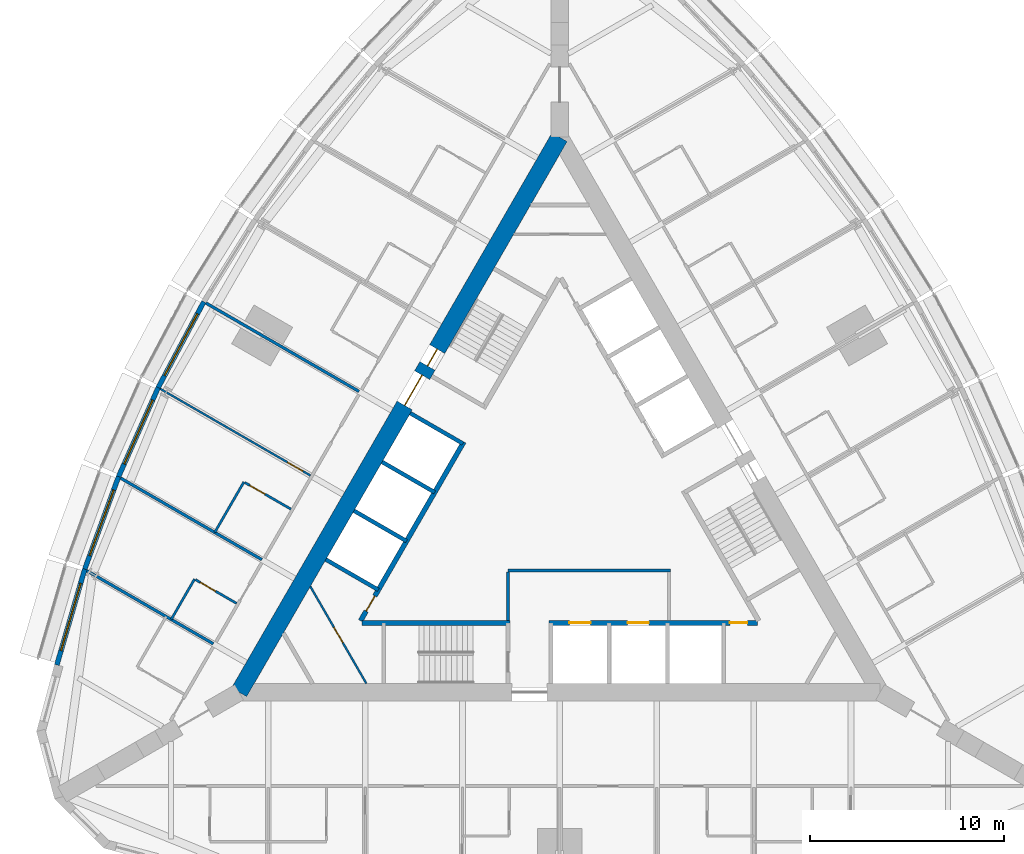
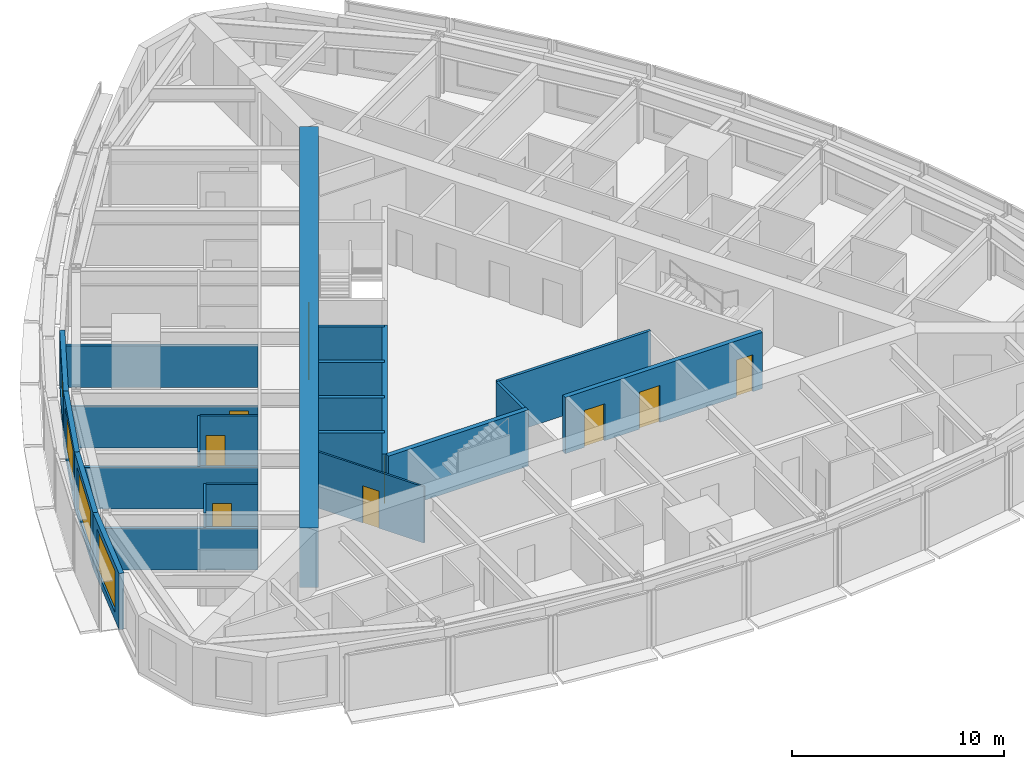
# One storey, part 9 of 14: 23 walls, 10 doors, 4 windows, 14 openings.
"""IFC4 building model written with IfcOpenShell, lengths in metres."""

from ifc_helpers import new_model, si_unit, direction, frame, frame_2d, origin, place, context, subcontext, project, spatial, rectangle, extrude, material, layer, layer_set, type_object, element, fill, save


model = new_model("IFC4")

# Units and contexts
model_context = context("Model", 3, precision=1e-05, world=origin(), true_north=direction((0.0, 1.0)))
body_context = subcontext(model_context, "Body", "Model", "MODEL_VIEW")
ifc_project = project(units=[si_unit("LENGTHUNIT", "METRE"), si_unit("AREAUNIT", "SQUARE_METRE"), si_unit("VOLUMEUNIT", "CUBIC_METRE"), si_unit("PLANEANGLEUNIT", "RADIAN"), si_unit("MASSUNIT", "GRAM", prefix="KILO")], contexts=[model_context])

# Site, building, storey
site_placement = place(None, origin())
site = spatial("IfcSite", under=ifc_project, at=site_placement, CompositionType="ELEMENT")
building_placement = place(site_placement, origin())
building = spatial("IfcBuilding", under=site, at=building_placement, Name="Trikona Tower", CompositionType="ELEMENT")
storey_placement = place(building_placement, frame((0.0, 0.0, 135.10009765625)))
storey = spatial("IfcBuildingStorey", under=building, at=storey_placement, Name="L35", CompositionType="ELEMENT", Elevation=135.10009765625)

# Wall
ifc_material_1 = material(Name="Metal stud and cement board", Category="gypsum")
ifc_layer_1 = layer(ifc_material_1, 0.1201171875)
ifc_layer_set_1 = layer_set([ifc_layer_1], Name="Bathroom wall 120")
wall_type_1 = type_object("IfcWallType", Name="Bathroom wall 120", PredefinedType="PLUMBINGWALL", material=ifc_layer_set_1)
wall_1_placement = place(storey_placement, frame((-16.25341796875, 1.301025390625, 0.0), z_axis=(0.0, 0.0, 1.0), x_axis=(-0.499990139034, -0.866031096941, 0.0)))
element("IfcWall", 1, at=wall_1_placement, inside=storey, type_object=wall_type_1, Name="Bathroom wall 3514.1", PredefinedType="PLUMBINGWALL", context=body_context, shape_type="SweptSolid", body=[
    extrude(rectangle(XDim=3.0, YDim=0.1201171875, at=frame_2d((1.5, 0.0))), origin(), (0.0, 0.0, 1.0), 3.23486328125),
])

# Wall, opening, door
wall_2_placement = place(storey_placement, frame((-13.82861328125, -0.09912109375, 0.0), z_axis=(0.0, 0.0, 1.0), x_axis=(-0.865997131366, 0.500048966069, 0.0)))
wall_2 = element("IfcWall", 2, at=wall_2_placement, inside=storey, type_object=wall_type_1, Name="Bathroom wall 3514.1", PredefinedType="PLUMBINGWALL", context=body_context, shape_type="SweptSolid", body=[
    extrude(rectangle(XDim=2.739990234375, YDim=0.1201171875, at=frame_2d((1.3701171875, 0.0))), origin(), (0.0, 0.0, 1.0), 3.23486328125),
])
opening_1_placement = place(wall_2_placement, frame((1.550048828125, 0.0, 0.0)))
opening_1 = element("IfcOpeningElement", 3, at=opening_1_placement, cuts=wall_2, Name="Opening D2", PredefinedType="OPENING", context=body_context, shape_type="SweptSolid", body=[
    extrude(rectangle(XDim=0.89990234375, YDim=2.1298828125, at=frame_2d((0.449951171875, 1.06494140625))), frame((0.0, 0.070068359375, 0.0), z_axis=(0.0, -1.0, 0.0), x_axis=(1.0, 0.0, 0.0)), (0.0, 0.0, 1.0), 0.14013671875),
])
ifc_material_2 = material(Name="Steel door frame with solid-core timber leaf", Category="steel")
door_type_1 = type_object("IfcDoorType", Name="Bathroom door 900x2130", OperationType="SLIDING_TO_LEFT", PredefinedType="DOOR", material=ifc_material_2)
door_1_placement = place(opening_1_placement, origin())
door_1 = element("IfcDoor", 4, at=door_1_placement, inside=storey, type_object=door_type_1, Name="Bathroom door 3514.1", OperationType="SLIDING_TO_LEFT", OverallHeight=2.1298828125, OverallWidth=0.89990234375, PredefinedType="DOOR", context=body_context, shape_type="SweptSolid", body=[
    extrude(rectangle(XDim=0.89990234375, YDim=2.1298828125, at=frame_2d((0.449951171875, 1.06494140625))), frame((0.0, 0.02490234375, 0.0), z_axis=(0.0, -1.0, 0.0), x_axis=(1.0, 0.0, 0.0)), (0.0, 0.0, 1.0), 0.050048828125),
])
fill(opening_1, door_1)

# Wall
wall_3_placement = place(storey_placement, frame((-18.79345703125, -3.69873046875, 0.0), z_axis=(0.0, 0.0, 1.0), x_axis=(-0.500001309137, -0.866024647952, 0.0)))
element("IfcWall", 5, at=wall_3_placement, inside=storey, type_object=wall_type_1, Name="Bathroom wall 3515", PredefinedType="PLUMBINGWALL", context=body_context, shape_type="SweptSolid", body=[
    extrude(rectangle(XDim=2.39990234375, YDim=0.1201171875, at=frame_2d((1.199951171875, 0.0))), origin(), (0.0, 0.0, 1.0), 3.23486328125),
])

# Wall, opening, door
wall_4_placement = place(storey_placement, frame((-16.62841796875, -4.94873046875, 0.0), z_axis=(0.0, 0.0, 1.0), x_axis=(-0.866048967903, 0.499959183527, 0.0)))
wall_4 = element("IfcWall", 6, at=wall_4_placement, inside=storey, type_object=wall_type_1, Name="Bathroom wall 3515", PredefinedType="PLUMBINGWALL", context=body_context, shape_type="SweptSolid", body=[
    extrude(rectangle(XDim=2.440185546875, YDim=0.1201171875, at=frame_2d((1.22021484375, 0.0))), origin(), (0.0, 0.0, 1.0), 3.23486328125),
])
opening_2_placement = place(wall_4_placement, frame((1.25, 0.0, 0.0)))
opening_2 = element("IfcOpeningElement", 7, at=opening_2_placement, cuts=wall_4, Name="Opening D2", PredefinedType="OPENING", context=body_context, shape_type="SweptSolid", body=[
    extrude(rectangle(XDim=0.89990234375, YDim=2.1298828125, at=frame_2d((0.449951171875, 1.06494140625))), frame((0.0, 0.070068359375, 0.0), z_axis=(0.0, -1.0, 0.0), x_axis=(1.0, 0.0, 0.0)), (0.0, 0.0, 1.0), 0.14013671875),
])
door_2_placement = place(opening_2_placement, origin())
door_2 = element("IfcDoor", 8, at=door_2_placement, inside=storey, type_object=door_type_1, Name="Bathroom door 3515", OperationType="SLIDING_TO_LEFT", OverallHeight=2.1298828125, OverallWidth=0.89990234375, PredefinedType="DOOR", context=body_context, shape_type="SweptSolid", body=[
    extrude(rectangle(XDim=0.89990234375, YDim=2.1298828125, at=frame_2d((0.449951171875, 1.06494140625))), frame((0.0, 0.02490234375, 0.0), z_axis=(0.0, -1.0, 0.0), x_axis=(1.0, 0.0, 0.0)), (0.0, 0.0, 1.0), 0.050048828125),
])
fill(opening_2, door_2)

# Wall, openings, doors
ifc_material_3 = material(Name="Concrete f'c 10000 psi", Category="concrete")
ifc_layer_2 = layer(ifc_material_3, 0.89990234375)
ifc_layer_set_2 = layer_set([ifc_layer_2], Name="Core wall 900")
wall_type_2 = type_object("IfcWallType", Name="Core wall 900", PredefinedType="SHEAR", material=ifc_layer_set_2)
wall_5_placement = place(storey_placement, frame((0.0, 19.052490234375, 0.0), z_axis=(0.0, 0.0, 1.0), x_axis=(-0.499999749417, -0.866025548458, 0.0)))
wall_5 = element("IfcWall", 9, at=wall_5_placement, inside=storey, type_object=wall_type_2, Name="Core wall C", PredefinedType="SHEAR", context=body_context, shape_type="SweptSolid", body=[
    extrude(rectangle(XDim=33.0, YDim=0.89990234375, at=frame_2d((16.5, 0.0))), origin(), (0.0, 0.0, 1.0), 3.39990234375),
])
opening_3_placement = place(wall_5_placement, frame((14.14990234375, 0.0, 0.0)))
opening_3 = element("IfcOpeningElement", 10, at=opening_3_placement, cuts=wall_5, Name="Opening D6", PredefinedType="OPENING", context=body_context, shape_type="SweptSolid", body=[
    extrude(rectangle(XDim=1.800048828125, YDim=2.1298828125, at=frame_2d((0.89990234375, 1.06494140625))), frame((0.0, 0.4599609375, 0.0), z_axis=(0.0, -1.0, 0.0), x_axis=(1.0, 0.0, 0.0)), (0.0, 0.0, 1.0), 0.919921875),
])
opening_4_placement = place(wall_5_placement, frame((12.60009765625, 0.0, 0.0)))
opening_4 = element("IfcOpeningElement", 11, at=opening_4_placement, cuts=wall_5, Name="Opening D5", PredefinedType="OPENING", context=body_context, shape_type="SweptSolid", body=[
    extrude(rectangle(XDim=1.0, YDim=2.1298828125, at=frame_2d((0.5, 1.06494140625))), frame((0.0, 0.4599609375, 0.0), z_axis=(0.0, -1.0, 0.0), x_axis=(1.0, 0.0, 0.0)), (0.0, 0.0, 1.0), 0.919921875),
])
ifc_material_4 = material(Name="Hollow metal door and frame", Category="steel")
door_type_2 = type_object("IfcDoorType", Name="Lobby door pair 1800x2130", OperationType="DOUBLE_DOOR_SINGLE_SWING", PredefinedType="DOOR", material=ifc_material_4)
door_3_placement = place(opening_3_placement, origin())
door_3 = element("IfcDoor", 12, at=door_3_placement, inside=storey, type_object=door_type_2, Name="Lift lobby door C", OperationType="DOUBLE_DOOR_SINGLE_SWING", OverallHeight=2.1298828125, OverallWidth=1.800048828125, PredefinedType="DOOR", context=body_context, shape_type="SweptSolid", body=[
    extrude(rectangle(XDim=1.800048828125, YDim=2.1298828125, at=frame_2d((0.89990234375, 1.06494140625))), frame((0.0, 0.02490234375, 0.0), z_axis=(0.0, -1.0, 0.0), x_axis=(1.0, 0.0, 0.0)), (0.0, 0.0, 1.0), 0.050048828125),
])
fill(opening_3, door_3)
ifc_material_5 = material(Name="Hollow metal door and frame", Category="steel")
door_type_3 = type_object("IfcDoorType", Name="Stair door 1000x2130", OperationType="SINGLE_SWING_LEFT", PredefinedType="DOOR", material=ifc_material_5)
door_4_placement = place(opening_4_placement, origin())
door_4 = element("IfcDoor", 13, at=door_4_placement, inside=storey, type_object=door_type_3, Name="Stair C door", OperationType="SINGLE_SWING_RIGHT", OverallHeight=2.1298828125, OverallWidth=1.0, PredefinedType="DOOR", context=body_context, shape_type="SweptSolid", body=[
    extrude(rectangle(XDim=1.0, YDim=2.1298828125, at=frame_2d((0.5, 1.06494140625))), frame((0.0, 0.02490234375, 0.0), z_axis=(0.0, -1.0, 0.0), x_axis=(1.0, 0.0, 0.0)), (0.0, 0.0, 1.0), 0.050048828125),
])
fill(opening_4, door_4)

# Wall
ifc_material_6 = material(Name="Concrete f'c 8000 psi", Category="concrete")
ifc_layer_3 = layer(ifc_material_6, 0.25)
ifc_layer_set_3 = layer_set([ifc_layer_3], Name="Hub wall 250")
wall_type_3 = type_object("IfcWallType", Name="Hub wall 250", PredefinedType="SOLIDWALL", material=ifc_layer_set_3)
wall_6_placement = place(storey_placement, frame((-10.182861328125, -5.951416015625, 0.0), z_axis=(0.0, 0.0, 1.0), x_axis=(1.0, 0.0, 0.0)))
element("IfcWall", 14, at=wall_6_placement, inside=storey, type_object=wall_type_3, Name="Lift lobby wall A1", PredefinedType="SOLIDWALL", context=body_context, shape_type="SweptSolid", body=[
    extrude(rectangle(XDim=7.6328125, YDim=0.25, at=frame_2d((3.81640625, 0.0))), origin(), (0.0, 0.0, 1.0), 3.23486328125),
])

# Wall, openings, doors
wall_7_placement = place(storey_placement, frame((-0.550048828125, -5.951416015625, 0.0), z_axis=(0.0, 0.0, 1.0), x_axis=(1.0, 0.0, 0.0)))
wall_7 = element("IfcWall", 15, at=wall_7_placement, inside=storey, type_object=wall_type_3, Name="Lift lobby wall A2", PredefinedType="SOLIDWALL", context=body_context, shape_type="SweptSolid", body=[
    extrude(rectangle(XDim=10.73291015625, YDim=0.25, at=frame_2d((5.366455078125, 0.0))), origin(), (0.0, 0.0, 1.0), 3.23486328125),
])
opening_5_placement = place(wall_7_placement, frame((9.31396484375, 0.0, 0.0)))
opening_5 = element("IfcOpeningElement", 16, at=opening_5_placement, cuts=wall_7, Name="Opening D14", PredefinedType="OPENING", context=body_context, shape_type="SweptSolid", body=[
    extrude(rectangle(XDim=0.89990234375, YDim=2.1298828125, at=frame_2d((0.449951171875, 1.06494140625))), frame((0.0, 0.135009765625, 0.0), z_axis=(0.0, -1.0, 0.0), x_axis=(1.0, 0.0, 0.0)), (0.0, 0.0, 1.0), 0.27001953125),
])
opening_6_placement = place(wall_7_placement, frame((1.050048828125, 0.0, 0.0)))
opening_6 = element("IfcOpeningElement", 17, at=opening_6_placement, cuts=wall_7, Name="Opening LD", PredefinedType="OPENING", context=body_context, shape_type="SweptSolid", body=[
    extrude(rectangle(XDim=1.10009765625, YDim=2.1298828125, at=frame_2d((0.550048828125, 1.06494140625))), frame((0.0, 0.135009765625, 0.0), z_axis=(0.0, -1.0, 0.0), x_axis=(1.0, 0.0, 0.0)), (0.0, 0.0, 1.0), 0.27001953125),
])
opening_7_placement = place(wall_7_placement, frame((4.050048828125, 0.0, 0.0)))
opening_7 = element("IfcOpeningElement", 18, at=opening_7_placement, cuts=wall_7, Name="Opening LD", PredefinedType="OPENING", context=body_context, shape_type="SweptSolid", body=[
    extrude(rectangle(XDim=1.10009765625, YDim=2.1298828125, at=frame_2d((0.550048828125, 1.06494140625))), frame((0.0, 0.135009765625, 0.0), z_axis=(0.0, -1.0, 0.0), x_axis=(1.0, 0.0, 0.0)), (0.0, 0.0, 1.0), 0.27001953125),
])
ifc_material_7 = material(Name="Stainless steel lift landing door", Category="steel")
door_type_4 = type_object("IfcDoorType", Name="Lift landing door 1100x2130", OperationType="DOUBLE_DOOR_SLIDING", PredefinedType="USERDEFINED", material=ifc_material_7)
door_5_placement = place(opening_6_placement, origin())
door_5 = element("IfcDoor", 19, at=door_5_placement, inside=storey, type_object=door_type_4, Name="Lift landing door FF1", ObjectType="LIFT LANDING DOOR", OperationType="DOUBLE_DOOR_SLIDING", OverallHeight=2.1298828125, OverallWidth=1.10009765625, PredefinedType="USERDEFINED", context=body_context, shape_type="SweptSolid", body=[
    extrude(rectangle(XDim=1.10009765625, YDim=2.1298828125, at=frame_2d((0.550048828125, 1.06494140625))), frame((0.0, 0.02490234375, 0.0), z_axis=(0.0, -1.0, 0.0), x_axis=(1.0, 0.0, 0.0)), (0.0, 0.0, 1.0), 0.050048828125),
])
fill(opening_6, door_5)
door_6_placement = place(opening_7_placement, origin())
door_6 = element("IfcDoor", 20, at=door_6_placement, inside=storey, type_object=door_type_4, Name="Lift landing door FF2", ObjectType="LIFT LANDING DOOR", OperationType="DOUBLE_DOOR_SLIDING", OverallHeight=2.1298828125, OverallWidth=1.10009765625, PredefinedType="USERDEFINED", context=body_context, shape_type="SweptSolid", body=[
    extrude(rectangle(XDim=1.10009765625, YDim=2.1298828125, at=frame_2d((0.550048828125, 1.06494140625))), frame((0.0, 0.02490234375, 0.0), z_axis=(0.0, -1.0, 0.0), x_axis=(1.0, 0.0, 0.0)), (0.0, 0.0, 1.0), 0.050048828125),
])
fill(opening_7, door_6)
ifc_material_8 = material(Name="Hollow metal door and frame", Category="steel")
door_type_5 = type_object("IfcDoorType", Name="Service room door 900x2130", OperationType="SINGLE_SWING_LEFT", PredefinedType="DOOR", material=ifc_material_8)
door_7_placement = place(opening_5_placement, origin())
door_7 = element("IfcDoor", 21, at=door_7_placement, inside=storey, type_object=door_type_5, Name="Door Ice and vending ICE", OperationType="SINGLE_SWING_RIGHT", OverallHeight=2.1298828125, OverallWidth=0.89990234375, PredefinedType="DOOR", context=body_context, shape_type="SweptSolid", body=[
    extrude(rectangle(XDim=0.89990234375, YDim=2.1298828125, at=frame_2d((0.449951171875, 1.06494140625))), frame((0.0, 0.02490234375, 0.0), z_axis=(0.0, -1.0, 0.0), x_axis=(1.0, 0.0, 0.0)), (0.0, 0.0, 1.0), 0.050048828125),
])
fill(opening_5, door_7)

# Wall, opening, door
wall_8_placement = place(storey_placement, frame((-4.928955078125, 3.365478515625, 0.0), z_axis=(0.0, 0.0, 1.0), x_axis=(-0.499991433582, -0.866030349552, 0.0)))
wall_8 = element("IfcWall", 22, at=wall_8_placement, inside=storey, type_object=wall_type_3, Name="Lift lobby wall C2", PredefinedType="SOLIDWALL", context=body_context, shape_type="SweptSolid", body=[
    extrude(rectangle(XDim=10.633056640625, YDim=0.25, at=frame_2d((5.31640625, 0.0))), origin(), (0.0, 0.0, 1.0), 3.23486328125),
])
opening_8_placement = place(wall_8_placement, frame((9.1640625, 0.0, 0.0)))
opening_8 = element("IfcOpeningElement", 23, at=opening_8_placement, cuts=wall_8, Name="Opening D14", PredefinedType="OPENING", context=body_context, shape_type="SweptSolid", body=[
    extrude(rectangle(XDim=0.89990234375, YDim=2.1298828125, at=frame_2d((0.449951171875, 1.06494140625))), frame((0.0, 0.135009765625, 0.0), z_axis=(0.0, -1.0, 0.0), x_axis=(1.0, 0.0, 0.0)), (0.0, 0.0, 1.0), 0.27001953125),
])
door_8_placement = place(opening_8_placement, origin())
door_8 = element("IfcDoor", 24, at=door_8_placement, inside=storey, type_object=door_type_5, Name="Door Linen store LIN", OperationType="SINGLE_SWING_RIGHT", OverallHeight=2.1298828125, OverallWidth=0.89990234375, PredefinedType="DOOR", context=body_context, shape_type="SweptSolid", body=[
    extrude(rectangle(XDim=0.89990234375, YDim=2.1298828125, at=frame_2d((0.449951171875, 1.06494140625))), frame((0.0, 0.02490234375, 0.0), z_axis=(0.0, -1.0, 0.0), x_axis=(1.0, 0.0, 0.0)), (0.0, 0.0, 1.0), 0.050048828125),
])
fill(opening_8, door_8)

# Wall, opening, window
ifc_material_9 = material(Name="Insulated precast concrete spandrel panel", Category="concrete")
ifc_layer_4 = layer(ifc_material_9, 0.25)
ifc_layer_set_4 = layer_set([ifc_layer_4], Name="Inner skin wall 250")
wall_type_4 = type_object("IfcWallType", Name="Inner skin wall 250", PredefinedType="STANDARD", material=ifc_layer_set_4)
wall_9_placement = place(storey_placement, frame((-18.314453125, 10.578857421875, 0.0), z_axis=(0.0, 0.0, 1.0), x_axis=(-0.469404966864, -0.882982999317, 0.0)))
wall_9 = element("IfcWall", 25, at=wall_9_placement, inside=storey, type_object=wall_type_4, Name="External wall L35-28", PredefinedType="STANDARD", context=body_context, shape_type="SweptSolid", body=[
    extrude(rectangle(XDim=5.0029296875, YDim=0.25, at=frame_2d((2.50146484375, 0.0))), origin(), (0.0, 0.0, 1.0), 3.23486328125),
])
opening_9_placement = place(wall_9_placement, frame((0.701416015625, 0.0, 0.449951171875)))
opening_9 = element("IfcOpeningElement", 26, at=opening_9_placement, cuts=wall_9, Name="Opening W3624", PredefinedType="OPENING", context=body_context, shape_type="SweptSolid", body=[
    extrude(rectangle(XDim=3.60009765625, YDim=2.39990234375, at=frame_2d((1.800048828125, 1.199951171875))), frame((0.0, 0.135009765625, 0.0), z_axis=(0.0, -1.0, 0.0), x_axis=(1.0, 0.0, 0.0)), (0.0, 0.0, 1.0), 0.27001953125),
])
ifc_material_10 = material(Name="Aluminium-framed double glazing", Category="aluminium")
window_type = type_object("IfcWindowType", Name="Window 3600x2400", PartitioningType="SINGLE_PANEL", PredefinedType="WINDOW", material=ifc_material_10)
window_1_placement = place(opening_9_placement, origin())
window_1 = element("IfcWindow", 27, at=window_1_placement, inside=storey, type_object=window_type, Name="Window 3514", OverallHeight=2.39990234375, OverallWidth=3.60009765625, PartitioningType="SINGLE_PANEL", PredefinedType="WINDOW", context=body_context, shape_type="SweptSolid", body=[
    extrude(rectangle(XDim=3.60009765625, YDim=2.39990234375, at=frame_2d((1.800048828125, 1.199951171875))), frame((0.0, 0.030029296875, 0.0), z_axis=(0.0, -1.0, 0.0), x_axis=(1.0, 0.0, 0.0)), (0.0, 0.0, 1.0), 0.06005859375),
])
fill(opening_9, window_1)

wall_10_placement = place(storey_placement, frame((-20.6591796875, 6.169189453125, 0.0), z_axis=(0.0, 0.0, 1.0), x_axis=(-0.406832200364, -0.913502906808, 0.0)))
wall_10 = element("IfcWall", 28, at=wall_10_placement, inside=storey, type_object=wall_type_4, Name="External wall L35-29", PredefinedType="STANDARD", context=body_context, shape_type="SweptSolid", body=[
    extrude(rectangle(XDim=5.027587890625, YDim=0.25, at=frame_2d((2.513671875, 0.0))), origin(), (0.0, 0.0, 1.0), 3.23486328125),
])
opening_10_placement = place(wall_10_placement, frame((0.713623046875, 0.0, 0.449951171875)))
opening_10 = element("IfcOpeningElement", 29, at=opening_10_placement, cuts=wall_10, Name="Opening W3624", PredefinedType="OPENING", context=body_context, shape_type="SweptSolid", body=[
    extrude(rectangle(XDim=3.60009765625, YDim=2.39990234375, at=frame_2d((1.800048828125, 1.199951171875))), frame((0.0, 0.135009765625, 0.0), z_axis=(0.0, -1.0, 0.0), x_axis=(1.0, 0.0, 0.0)), (0.0, 0.0, 1.0), 0.27001953125),
])
window_2_placement = place(opening_10_placement, origin())
window_2 = element("IfcWindow", 30, at=window_2_placement, inside=storey, type_object=window_type, Name="Window 3514.1", OverallHeight=2.39990234375, OverallWidth=3.60009765625, PartitioningType="SINGLE_PANEL", PredefinedType="WINDOW", context=body_context, shape_type="SweptSolid", body=[
    extrude(rectangle(XDim=3.60009765625, YDim=2.39990234375, at=frame_2d((1.800048828125, 1.199951171875))), frame((0.0, 0.030029296875, 0.0), z_axis=(0.0, -1.0, 0.0), x_axis=(1.0, 0.0, 0.0)), (0.0, 0.0, 1.0), 0.06005859375),
])
fill(opening_10, window_2)

wall_11_placement = place(storey_placement, frame((-22.701416015625, 1.58447265625, 0.0), z_axis=(0.0, 0.0, 1.0), x_axis=(-0.343225593282, -0.939252996863, 0.0)))
wall_11 = element("IfcWall", 31, at=wall_11_placement, inside=storey, type_object=wall_type_4, Name="External wall L35-30", PredefinedType="STANDARD", context=body_context, shape_type="SweptSolid", body=[
    extrude(rectangle(XDim=5.075927734375, YDim=0.25, at=frame_2d((2.5380859375, 0.0))), origin(), (0.0, 0.0, 1.0), 3.23486328125),
])
opening_11_placement = place(wall_11_placement, frame((0.738037109375, 0.0, 0.449951171875)))
opening_11 = element("IfcOpeningElement", 32, at=opening_11_placement, cuts=wall_11, Name="Opening W3624", PredefinedType="OPENING", context=body_context, shape_type="SweptSolid", body=[
    extrude(rectangle(XDim=3.60009765625, YDim=2.39990234375, at=frame_2d((1.800048828125, 1.199951171875))), frame((0.0, 0.135009765625, 0.0), z_axis=(0.0, -1.0, 0.0), x_axis=(1.0, 0.0, 0.0)), (0.0, 0.0, 1.0), 0.27001953125),
])
window_3_placement = place(opening_11_placement, origin())
window_3 = element("IfcWindow", 33, at=window_3_placement, inside=storey, type_object=window_type, Name="Window 3515", OverallHeight=2.39990234375, OverallWidth=3.60009765625, PartitioningType="SINGLE_PANEL", PredefinedType="WINDOW", context=body_context, shape_type="SweptSolid", body=[
    extrude(rectangle(XDim=3.60009765625, YDim=2.39990234375, at=frame_2d((1.800048828125, 1.199951171875))), frame((0.0, 0.030029296875, 0.0), z_axis=(0.0, -1.0, 0.0), x_axis=(1.0, 0.0, 0.0)), (0.0, 0.0, 1.0), 0.06005859375),
])
fill(opening_11, window_3)

wall_12_placement = place(storey_placement, frame((-24.44091796875, -3.17529296875, 0.0), z_axis=(0.0, 0.0, 1.0), x_axis=(-0.279528287117, -0.960137457191, 0.0)))
wall_12 = element("IfcWall", 34, at=wall_12_placement, inside=storey, type_object=wall_type_4, Name="External wall L35-31", PredefinedType="STANDARD", context=body_context, shape_type="SweptSolid", body=[
    extrude(rectangle(XDim=5.14794921875, YDim=0.25, at=frame_2d((2.573974609375, 0.0))), origin(), (0.0, 0.0, 1.0), 3.23486328125),
])
opening_12_placement = place(wall_12_placement, frame((0.77392578125, 0.0, 0.449951171875)))
opening_12 = element("IfcOpeningElement", 35, at=opening_12_placement, cuts=wall_12, Name="Opening W3624", PredefinedType="OPENING", context=body_context, shape_type="SweptSolid", body=[
    extrude(rectangle(XDim=3.60009765625, YDim=2.39990234375, at=frame_2d((1.800048828125, 1.199951171875))), frame((0.0, 0.135009765625, 0.0), z_axis=(0.0, -1.0, 0.0), x_axis=(1.0, 0.0, 0.0)), (0.0, 0.0, 1.0), 0.27001953125),
])
window_4_placement = place(opening_12_placement, origin())
window_4 = element("IfcWindow", 36, at=window_4_placement, inside=storey, type_object=window_type, Name="Window 3516", OverallHeight=2.39990234375, OverallWidth=3.60009765625, PartitioningType="SINGLE_PANEL", PredefinedType="WINDOW", context=body_context, shape_type="SweptSolid", body=[
    extrude(rectangle(XDim=3.60009765625, YDim=2.39990234375, at=frame_2d((1.800048828125, 1.199951171875))), frame((0.0, 0.030029296875, 0.0), z_axis=(0.0, -1.0, 0.0), x_axis=(1.0, 0.0, 0.0)), (0.0, 0.0, 1.0), 0.06005859375),
])
fill(opening_12, window_4)

# Walls
ifc_material_11 = material(Name="Metal stud and gypsum board, 2-hour shaft wall", Category="gypsum")
ifc_layer_5 = layer(ifc_material_11, 0.14990234375)
ifc_layer_set_5 = layer_set([ifc_layer_5], Name="Lobby wall 150")
wall_type_5 = type_object("IfcWallType", Name="Lobby wall 150", PredefinedType="PARTITIONING", material=ifc_layer_set_5)
wall_13_placement = place(storey_placement, frame((-2.64990234375, -3.251220703125, 0.0), z_axis=(0.0, 0.0, 1.0), x_axis=(1.0, 0.0, 0.0)))
element("IfcWall", 37, at=wall_13_placement, inside=storey, type_object=wall_type_5, Name="Fire service lift lobby wall 1", PredefinedType="PARTITIONING", context=body_context, shape_type="SweptSolid", body=[
    extrude(rectangle(XDim=8.349853515625, YDim=0.14990234375, at=frame_2d((4.1748046875, 0.0))), origin(), (0.0, 0.0, 1.0), 3.23486328125),
])
wall_14_placement = place(storey_placement, frame((-2.64990234375, -5.826416015625, 0.0), z_axis=(0.0, 0.0, 1.0), x_axis=(0.0, 1.0, 0.0)))
element("IfcWall", 38, at=wall_14_placement, inside=storey, type_object=wall_type_5, Name="Fire service lift lobby wall 2", PredefinedType="PARTITIONING", context=body_context, shape_type="SweptSolid", body=[
    extrude(rectangle(XDim=2.5, YDim=0.14990234375, at=frame_2d((1.25, 0.0))), origin(), (0.0, 0.0, 1.0), 3.23486328125),
])
ifc_material_12 = material(Name="Metal stud and gypsum board, 1-hour acoustic", Category="gypsum")
ifc_layer_6 = layer(ifc_material_12, 0.14990234375)
ifc_layer_set_6 = layer_set([ifc_layer_6], Name="Party wall 150")
wall_type_6 = type_object("IfcWallType", Name="Party wall 150", PredefinedType="PARTITIONING", material=ifc_layer_set_6)
wall_15_placement = place(storey_placement, frame((-10.32861328125, 5.963134765625, 0.0), z_axis=(0.0, 0.0, 1.0), x_axis=(-0.866025170687, 0.500000403736, 0.0)))
element("IfcWall", 39, at=wall_15_placement, inside=storey, type_object=wall_type_6, Name="Partition L35 F3 u0", PredefinedType="PARTITIONING", context=body_context, shape_type="SweptSolid", body=[
    extrude(rectangle(XDim=9.0986328125, YDim=0.14990234375, at=frame_2d((4.54931640625, 0.0))), origin(), (0.0, 0.0, 1.0), 2.38916015625),
])
wall_16_placement = place(storey_placement, frame((-15.32861328125, -2.697021484375, 0.0), z_axis=(0.0, 0.0, 1.0), x_axis=(-0.866024316602, 0.50000188305, 0.0)))
element("IfcWall", 40, at=wall_16_placement, inside=storey, type_object=wall_type_6, Name="Partition L35 F3 u10", PredefinedType="PARTITIONING", context=body_context, shape_type="SweptSolid", body=[
    extrude(rectangle(XDim=8.39501953125, YDim=0.14990234375, at=frame_2d((4.197509765625, 0.0))), origin(), (0.0, 0.0, 1.0), 2.38916015625),
])
wall_17_placement = place(storey_placement, frame((-17.82861328125, -7.027099609375, 0.0), z_axis=(0.0, 0.0, 1.0), x_axis=(-0.866029804378, 0.499992377871, 0.0)))
element("IfcWall", 41, at=wall_17_placement, inside=storey, type_object=wall_type_6, Name="Partition L35 F3 u15", PredefinedType="PARTITIONING", context=body_context, shape_type="SweptSolid", body=[
    extrude(rectangle(XDim=7.51611328125, YDim=0.14990234375, at=frame_2d((3.758056640625, 0.0))), origin(), (0.0, 0.0, 1.0), 2.38916015625),
])
ifc_material_13 = material(Name="Concrete f'c 8000 psi", Category="concrete")
ifc_layer_7 = layer(ifc_material_13, 0.199951171875)
ifc_layer_set_7 = layer_set([ifc_layer_7], Name="Shaft wall 200")
wall_type_7 = type_object("IfcWallType", Name="Shaft wall 200", PredefinedType="SOLIDWALL", material=ifc_layer_set_7)
for number, where, z_axis, x_axis, name in (
    (42, (-4.97900390625, 3.27880859375, 0.0), (0.0, 0.0, 1.0), (-0.866022959057, 0.500004234368, 0.0), "Shaft wall C3"),
    (43, (-6.428955078125, 0.767333984375, 0.0), (0.0, 0.0, 1.0), (-0.866022959057, 0.500004234368, 0.0), "Shaft wall C4"),
    (44, (-7.87890625, -1.744140625, 0.0), (0.0, 0.0, 1.0), (-0.866022959057, 0.500004234368, 0.0), "Shaft wall C5"),
    (45, (-9.3291015625, -4.255615234375, 0.0), (0.0, 0.0, 1.0), (-0.866022959057, 0.500004234368, 0.0), "Shaft wall C6"),
):
    element("IfcWall", number, at=place(storey_placement, frame(where, z_axis=z_axis, x_axis=x_axis)), inside=storey, type_object=wall_type_7, Name=name, PredefinedType="SOLIDWALL", context=body_context, shape_type="SweptSolid", body=[
        extrude(rectangle(XDim=3.125, YDim=0.199951171875, at=frame_2d((1.5625, 0.0))), origin(), (0.0, 0.0, 1.0), 3.23486328125),
    ])

# Wall, opening, door
ifc_material_14 = material(Name="Metal stud and gypsum board, acoustic", Category="gypsum")
ifc_layer_8 = layer(ifc_material_14, 0.10009765625)
ifc_layer_set_8 = layer_set([ifc_layer_8], Name="Suite partition 100")
wall_type_8 = type_object("IfcWallType", Name="Suite partition 100", PredefinedType="PARTITIONING", material=ifc_layer_set_8)
wall_18_placement = place(storey_placement, frame((-12.82861328125, 1.633056640625, 0.0), z_axis=(0.0, 0.0, 1.0), x_axis=(-0.866027015393, 0.499997208602, 0.0)))
wall_18 = element("IfcWall", 46, at=wall_18_placement, inside=storey, type_object=wall_type_8, Name="Suite partition L35 F3 u5", PredefinedType="PARTITIONING", context=body_context, shape_type="SweptSolid", body=[
    extrude(rectangle(XDim=8.92236328125, YDim=0.10009765625, at=frame_2d((4.461181640625, 0.0))), origin(), (0.0, 0.0, 1.0), 2.38916015625),
])
opening_13_placement = place(wall_18_placement, frame((0.449951171875, 0.0, 0.0)))
opening_13 = element("IfcOpeningElement", 47, at=opening_13_placement, cuts=wall_18, Name="Opening D13", PredefinedType="OPENING", context=body_context, shape_type="SweptSolid", body=[
    extrude(rectangle(XDim=0.89990234375, YDim=2.1298828125, at=frame_2d((0.449951171875, 1.06494140625))), frame((0.0, 0.06005859375, 0.0), z_axis=(0.0, -1.0, 0.0), x_axis=(1.0, 0.0, 0.0)), (0.0, 0.0, 1.0), 0.1201171875),
])
ifc_material_15 = material(Name="Steel door frame with solid-core timber leaf", Category="steel")
door_type_6 = type_object("IfcDoorType", Name="Suite door 900x2130", OperationType="SINGLE_SWING_LEFT", PredefinedType="DOOR", material=ifc_material_15)
door_9_placement = place(opening_13_placement, origin())
door_9 = element("IfcDoor", 48, at=door_9_placement, inside=storey, type_object=door_type_6, Name="Suite door 3514", OperationType="SINGLE_SWING_LEFT", OverallHeight=2.1298828125, OverallWidth=0.89990234375, PredefinedType="DOOR", context=body_context, shape_type="SweptSolid", body=[
    extrude(rectangle(XDim=0.89990234375, YDim=2.1298828125, at=frame_2d((0.449951171875, 1.06494140625))), frame((0.0, 0.02490234375, 0.0), z_axis=(0.0, -1.0, 0.0), x_axis=(1.0, 0.0, 0.0)), (0.0, 0.0, 1.0), 0.050048828125),
])
fill(opening_13, door_9)

wall_19_placement = place(storey_placement, frame((-9.947021484375, -9.076416015625, 0.0), z_axis=(0.0, 0.0, 1.0), x_axis=(-0.500027479704, 0.866009537788, 0.0)))
wall_19 = element("IfcWall", 49, at=wall_19_placement, inside=storey, type_object=wall_type_8, Name="Store partition L35-RS3", PredefinedType="PARTITIONING", context=body_context, shape_type="SweptSolid", body=[
    extrude(rectangle(XDim=5.773681640625, YDim=0.10009765625, at=frame_2d((2.88671875, 0.0))), origin(), (0.0, 0.0, 1.0), 3.23486328125),
])
opening_14_placement = place(wall_19_placement, frame((2.436767578125, 0.0, 0.0)))
opening_14 = element("IfcOpeningElement", 50, at=opening_14_placement, cuts=wall_19, Name="Opening D15", PredefinedType="OPENING", context=body_context, shape_type="SweptSolid", body=[
    extrude(rectangle(XDim=0.89990234375, YDim=2.1298828125, at=frame_2d((0.449951171875, 1.06494140625))), frame((0.0, 0.06005859375, 0.0), z_axis=(0.0, -1.0, 0.0), x_axis=(1.0, 0.0, 0.0)), (0.0, 0.0, 1.0), 0.1201171875),
])
ifc_material_16 = material(Name="Steel door frame with solid-core timber leaf", Category="steel")
door_type_7 = type_object("IfcDoorType", Name="Store door 900x2130", OperationType="SINGLE_SWING_LEFT", PredefinedType="DOOR", material=ifc_material_16)
door_10_placement = place(opening_14_placement, origin())
door_10 = element("IfcDoor", 51, at=door_10_placement, inside=storey, type_object=door_type_7, Name="Door Amenity store AMS", OperationType="SINGLE_SWING_RIGHT", OverallHeight=2.1298828125, OverallWidth=0.89990234375, PredefinedType="DOOR", context=body_context, shape_type="SweptSolid", body=[
    extrude(rectangle(XDim=0.89990234375, YDim=2.1298828125, at=frame_2d((0.449951171875, 1.06494140625))), frame((0.0, 0.02490234375, 0.0), z_axis=(0.0, -1.0, 0.0), x_axis=(1.0, 0.0, 0.0)), (0.0, 0.0, 1.0), 0.050048828125),
])
fill(opening_14, door_10)

save(model, "model.ifc")
